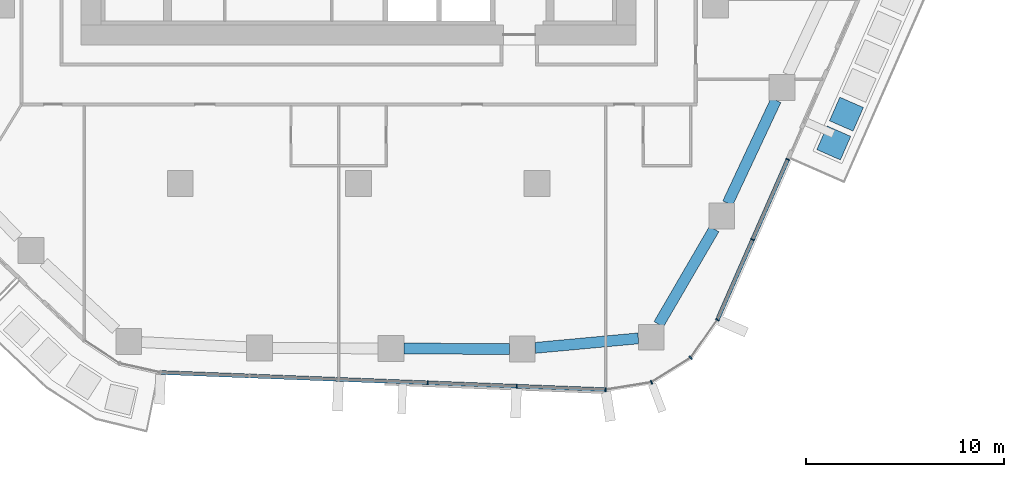
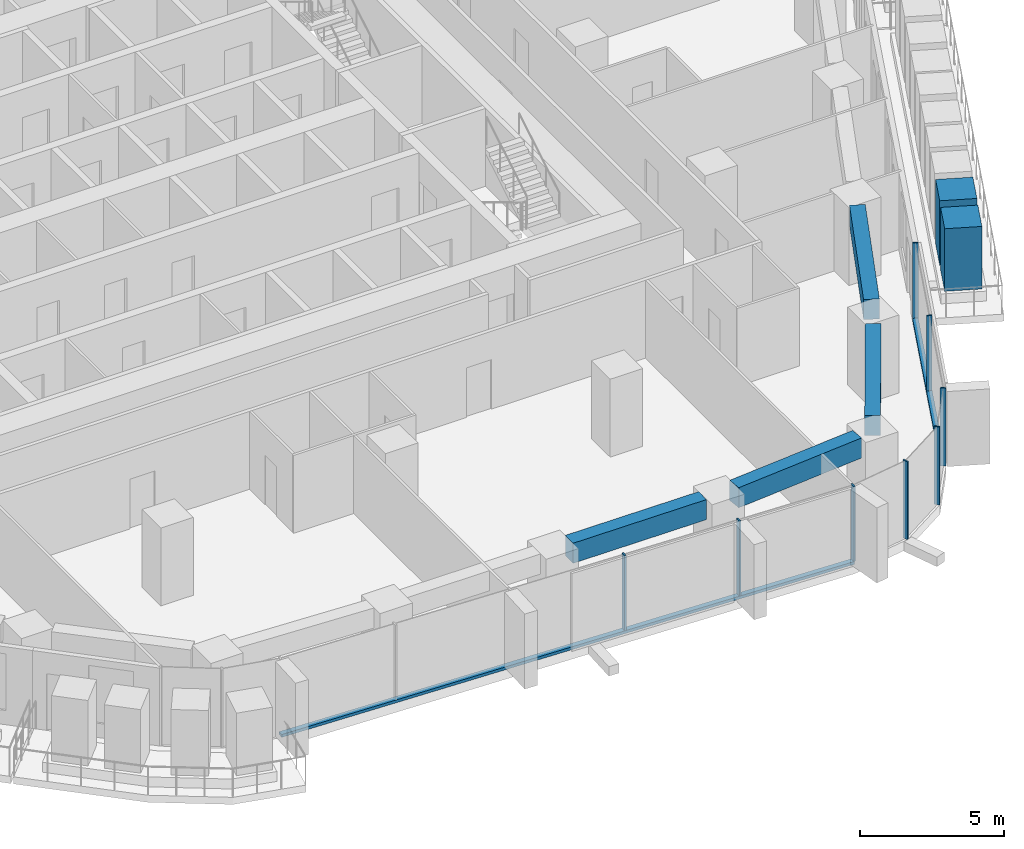
# One storey, part 4 of 23: 12 members, 4 beams, 3 elements without a shape of their own.
"""IFC4 building model written with IfcOpenShell, lengths in metres."""

from ifc_helpers import new_model, si_unit, direction, frame, origin, origin_2d, place, context, subcontext, project, spatial, rectangle, extrude, material, layer, layer_set, material_profile, profile_set, type_object, element, aggregate, save


model = new_model("IFC4")

# Units and contexts
model_context = context("Model", 3, precision=1e-05, world=origin(), true_north=direction((0.0, 1.0)))
body_context = subcontext(model_context, "Body", "Model", "MODEL_VIEW")
ifc_project = project(units=[si_unit("LENGTHUNIT", "METRE"), si_unit("AREAUNIT", "SQUARE_METRE"), si_unit("VOLUMEUNIT", "CUBIC_METRE"), si_unit("PLANEANGLEUNIT", "RADIAN"), si_unit("MASSUNIT", "GRAM", prefix="KILO")], contexts=[model_context])

# Site, building, storey
site_placement = place(None, origin())
site = spatial("IfcSite", under=ifc_project, at=site_placement, CompositionType="ELEMENT")
building_placement = place(site_placement, origin())
building = spatial("IfcBuilding", under=site, at=building_placement, Name="Dongbaek Canopy Tower", CompositionType="ELEMENT")
storey_placement = place(building_placement, frame((0.0, 0.0, 135.89990234375)))
storey = spatial("IfcBuildingStorey", under=building, at=storey_placement, Name="L30", CompositionType="ELEMENT", Elevation=135.89990234375)

# Curtain wall, members
ifc_material_1 = material(Name="Aluminium 6063-T6 pale anodised", Category="aluminium")
ifc_layer = layer(ifc_material_1, 0.199951171875)
ifc_layer_set = layer_set([ifc_layer], Name="CW-1 unitised tower curtain wall")
curtain_wall_type = type_object("IfcCurtainWallType", Name="CW-1 unitised tower curtain wall", PredefinedType="NOTDEFINED", material=ifc_layer_set)
curtain_wall_1_placement = place(storey_placement, origin())
curtain_wall_1 = element("IfcCurtainWall", 1, at=curtain_wall_1_placement, inside=storey, type_object=curtain_wall_type, Name="CW-1 curtain wall F4.1", PredefinedType="NOTDEFINED")
ifc_material_2 = material(Name="Aluminium 6063-T6 pale anodised", Category="aluminium")
ifc_material_profile_1 = material_profile(ifc_material_2, rectangle(XDim=0.199951171875, YDim=0.06005859375, at=origin_2d()), Name="CW-1 mullion 60 x 200")
ifc_profile_set_1 = profile_set([ifc_material_profile_1], Name="Aluminium 6063-T6 pale anodised")
member_type_1 = type_object("IfcMemberType", Name="CW-1 mullion 60 x 200", PredefinedType="MULLION", material=ifc_profile_set_1)
member_1_placement = place(storey_placement, frame((3.4814453125, -28.05126953125, 0.1201171875), z_axis=(0.0, 0.0, 1.0), x_axis=(-0.038587229989, -0.999255235504, 0.0)))
member_1 = element("IfcMember", 2, at=member_1_placement, type_object=member_type_1, Name="CW-1 mullion F4.1.4", PredefinedType="MULLION", context=body_context, shape_type="SweptSolid", body=[
    extrude(rectangle(XDim=0.199951171875, YDim=0.06005859375, at=origin_2d()), origin(), (0.0, 0.0, 1.0), 3.179931640625),
])
member_2_placement = place(storey_placement, frame((7.973876953125, -28.224853515625, 0.1201171875), z_axis=(0.0, 0.0, 1.0), x_axis=(-0.038587229989, -0.999255235504, 0.0)))
member_2 = element("IfcMember", 3, at=member_2_placement, type_object=member_type_1, Name="CW-1 mullion F4.1.5", PredefinedType="MULLION", context=body_context, shape_type="SweptSolid", body=[
    extrude(rectangle(XDim=0.199951171875, YDim=0.06005859375, at=origin_2d()), origin(), (0.0, 0.0, 1.0), 3.179931640625),
])
member_3_placement = place(storey_placement, frame((12.456298828125, -28.39794921875, 0.1201171875), z_axis=(0.0, 0.0, 1.0), x_axis=(-0.038587229989, -0.999255235504, 0.0)))
member_3 = element("IfcMember", 4, at=member_3_placement, type_object=member_type_1, Name="CW-1 mullion F4.1.6", PredefinedType="MULLION", context=body_context, shape_type="SweptSolid", body=[
    extrude(rectangle(XDim=0.199951171875, YDim=0.06005859375, at=origin_2d()), origin(), (0.0, 0.0, 1.0), 3.179931640625),
])

curtain_wall_2_placement = place(storey_placement, origin())
curtain_wall_2 = element("IfcCurtainWall", 5, at=curtain_wall_2_placement, inside=storey, type_object=curtain_wall_type, Name="CW-1 curtain wall K5.1", PredefinedType="NOTDEFINED")
member_4_placement = place(storey_placement, frame((14.771240234375, -28.022705078125, 0.0), z_axis=(0.0, 0.0, 1.0), x_axis=(0.35218386839, -0.935930832298, 0.0)))
member_4 = element("IfcMember", 6, at=member_4_placement, type_object=member_type_1, Name="CW-1 mullion K5.1.2", PredefinedType="MULLION", context=body_context, shape_type="SweptSolid", body=[
    extrude(rectangle(XDim=0.199951171875, YDim=0.06005859375, at=origin_2d()), origin(), (0.0, 0.0, 1.0), 3.300048828125),
])
member_5_placement = place(storey_placement, frame((16.75048828125, -26.7841796875, 0.0), z_axis=(0.0, 0.0, 1.0), x_axis=(0.687763517338, -0.725934807141, 0.0)))
member_5 = element("IfcMember", 7, at=member_5_placement, type_object=member_type_1, Name="CW-1 mullion K5.1.3", PredefinedType="MULLION", context=body_context, shape_type="SweptSolid", body=[
    extrude(rectangle(XDim=0.199951171875, YDim=0.06005859375, at=origin_2d()), origin(), (0.0, 0.0, 1.0), 3.300048828125),
])
member_6_placement = place(storey_placement, frame((18.099853515625, -24.866455078125, 0.0), z_axis=(0.0, 0.0, 1.0), x_axis=(0.817843743587, -0.575440362744, 0.0)))
member_6 = element("IfcMember", 8, at=member_6_placement, type_object=member_type_1, Name="CW-1 mullion K5.1.4", PredefinedType="MULLION", context=body_context, shape_type="SweptSolid", body=[
    extrude(rectangle(XDim=0.199951171875, YDim=0.06005859375, at=origin_2d()), origin(), (0.0, 0.0, 1.0), 3.300048828125),
])
aggregate(curtain_wall_2, [member_4, member_5, member_6])

curtain_wall_3_placement = place(storey_placement, origin())
curtain_wall_3 = element("IfcCurtainWall", 9, at=curtain_wall_3_placement, inside=storey, type_object=curtain_wall_type, Name="CW-1 curtain wall F5.1", PredefinedType="NOTDEFINED")
member_7_placement = place(storey_placement, frame((19.873046875, -20.829345703125, 0.1201171875), z_axis=(0.0, 0.0, 1.0), x_axis=(0.915562348389, -0.402176063698, 0.0)))
member_7 = element("IfcMember", 10, at=member_7_placement, type_object=member_type_1, Name="CW-1 mullion F5.1.2", PredefinedType="MULLION", context=body_context, shape_type="SweptSolid", body=[
    extrude(rectangle(XDim=0.199951171875, YDim=0.06005859375, at=origin_2d()), origin(), (0.0, 0.0, 1.0), 3.179931640625),
])
member_8_placement = place(storey_placement, frame((21.650390625, -16.783447265625, 0.1201171875), z_axis=(0.0, 0.0, 1.0), x_axis=(0.915562348389, -0.402176063698, 0.0)))
member_8 = element("IfcMember", 11, at=member_8_placement, type_object=member_type_1, Name="CW-1 mullion F5.1.3", PredefinedType="MULLION", context=body_context, shape_type="SweptSolid", body=[
    extrude(rectangle(XDim=0.199951171875, YDim=0.06005859375, at=origin_2d()), origin(), (0.0, 0.0, 1.0), 3.179931640625),
])

# Member
ifc_material_3 = material(Name="Aluminium 6063-T6 pale anodised", Category="aluminium")
ifc_material_profile_2 = material_profile(ifc_material_3, rectangle(XDim=0.199951171875, YDim=0.1201171875, at=origin_2d()), Name="CW-1 transom 120 x 200")
ifc_profile_set_2 = profile_set([ifc_material_profile_2], Name="Aluminium 6063-T6 pale anodised")
member_type_2 = type_object("IfcMemberType", Name="CW-1 transom 120 x 200", PredefinedType="USERDEFINED", material=ifc_profile_set_2)
member_9_placement = place(storey_placement, frame((-9.98681640625, -27.53125, 0.06005859375), z_axis=(0.99925517351, -0.038588835336, 0.0), x_axis=(0.038588835336, 0.99925517351, 0.0)))
member_9 = element("IfcMember", 12, at=member_9_placement, type_object=member_type_2, Name="CW-1 transom F4.1.1", ObjectType="TRANSOM", PredefinedType="USERDEFINED", context=body_context, shape_type="SweptSolid", body=[
    extrude(rectangle(XDim=0.199951171875, YDim=0.1201171875, at=origin_2d()), origin(), (0.0, 0.0, 1.0), 22.4599609375),
])

aggregate(curtain_wall_1, [member_1, member_2, member_3, member_9])

member_10_placement = place(storey_placement, frame((18.099853515625, -24.866455078125, 0.06005859375), z_axis=(0.402170445834, 0.915564816109, 0.0), x_axis=(-0.915564816109, 0.402170445834, 0.0)))
member_10 = element("IfcMember", 13, at=member_10_placement, type_object=member_type_2, Name="CW-1 transom F5.1.1", ObjectType="TRANSOM", PredefinedType="USERDEFINED", context=body_context, shape_type="SweptSolid", body=[
    extrude(rectangle(XDim=0.199951171875, YDim=0.1201171875, at=origin_2d()), origin(), (0.0, 0.0, 1.0), 8.828369140625),
])

aggregate(curtain_wall_3, [member_7, member_8, member_10])

# Beams
ifc_material_4 = material(Name="Concrete C80", Category="concrete")
ifc_material_profile_3 = material_profile(ifc_material_4, rectangle(XDim=0.550048828125, YDim=0.85009765625, at=origin_2d()), Name="RC EDGE BEAM 550x850 C80")
ifc_profile_set_3 = profile_set([ifc_material_profile_3], Name="Concrete C80")
beam_type = type_object("IfcBeamType", Name="RC EDGE BEAM 550x850 C80", PredefinedType="BEAM", material=ifc_profile_set_3)
beam_1_placement = place(storey_placement, frame((14.110107421875, -25.80908203125, 2.875), z_axis=(-0.995770494827, -0.091875576911, 0.0), x_axis=(0.091875576911, -0.995770494827, 0.0)))
element("IfcBeam", 14, at=beam_1_placement, inside=storey, type_object=beam_type, Name="EDGEBEAM:L30:00", PredefinedType="BEAM", context=body_context, shape_type="SweptSolid", body=[
    extrude(rectangle(XDim=0.550048828125, YDim=0.85009765625, at=origin_2d()), origin(), (0.0, 0.0, 1.0), 5.224365234375),
])
beam_2_placement = place(storey_placement, frame((7.60791015625, -26.34619140625, 2.875), z_axis=(-0.999989714022, 0.004535620181, 0.0), x_axis=(-0.004535620181, -0.999989714022, 0.0)))
element("IfcBeam", 15, at=beam_2_placement, inside=storey, type_object=beam_type, Name="EDGEBEAM:L30:01", PredefinedType="BEAM", context=body_context, shape_type="SweptSolid", body=[
    extrude(rectangle(XDim=0.550048828125, YDim=0.85009765625, at=origin_2d()), origin(), (0.0, 0.0, 1.0), 5.328857421875),
])
beam_3_placement = place(storey_placement, frame((21.051513671875, -13.800048828125, 2.875), z_axis=(-0.424209119096, -0.905564256845, 0.0), x_axis=(0.905564256845, -0.424209119096, 0.0)))
element("IfcBeam", 16, at=beam_3_placement, inside=storey, type_object=beam_type, Name="EDGEBEAM:L30:24", PredefinedType="BEAM", context=body_context, shape_type="SweptSolid", body=[
    extrude(rectangle(XDim=0.550048828125, YDim=0.85009765625, at=origin_2d()), origin(), (0.0, 0.0, 1.0), 5.7333984375),
])
beam_4_placement = place(storey_placement, frame((17.9365234375, -20.2919921875, 2.875), z_axis=(-0.503057531083, -0.864252926186, 0.0), x_axis=(0.864252926186, -0.503057531083, 0.0)))
element("IfcBeam", 17, at=beam_4_placement, inside=storey, type_object=beam_type, Name="EDGEBEAM:L30:25", PredefinedType="BEAM", context=body_context, shape_type="SweptSolid", body=[
    extrude(rectangle(XDim=0.550048828125, YDim=0.85009765625, at=origin_2d()), origin(), (0.0, 0.0, 1.0), 5.562255859375),
])

# Members
ifc_material_5 = material(Name="Concrete C40/50 planter mass with planting", Category="concrete")
ifc_material_profile_4 = material_profile(ifc_material_5, rectangle(XDim=1.300048828125, YDim=1.300048828125, at=origin_2d()), Name="Terrace PLANTER shrub mass 1300 x 1300")
ifc_profile_set_4 = profile_set([ifc_material_profile_4], Name="Concrete C40/50 planter mass with planting")
member_type_3 = type_object("IfcMemberType", Name="Terrace PLANTER shrub mass 1300 x 1300", PredefinedType="USERDEFINED", material=ifc_profile_set_4)
member_11_placement = place(storey_placement, frame((23.970458984375, -15.952392578125, 0.420166015625), z_axis=(0.0, 0.0, 1.0), x_axis=(0.915562348389, -0.402176063698, 0.0)))
element("IfcMember", 18, at=member_11_placement, inside=storey, type_object=member_type_3, Name="Planter shrubs L30 4.1", ObjectType="PLANTER", PredefinedType="USERDEFINED", context=body_context, shape_type="SweptSolid", body=[
    extrude(rectangle(XDim=1.300048828125, YDim=1.300048828125, at=origin_2d()), origin(), (0.0, 0.0, 1.0), 2.64990234375),
])
member_12_placement = place(storey_placement, frame((24.609130859375, -14.498779296875, 0.420166015625), z_axis=(0.0, 0.0, 1.0), x_axis=(0.915562348389, -0.402176063698, 0.0)))
element("IfcMember", 19, at=member_12_placement, inside=storey, type_object=member_type_3, Name="Planter shrubs L30 4.2", ObjectType="PLANTER", PredefinedType="USERDEFINED", context=body_context, shape_type="SweptSolid", body=[
    extrude(rectangle(XDim=1.300048828125, YDim=1.300048828125, at=origin_2d()), origin(), (0.0, 0.0, 1.0), 2.72998046875),
])

save(model, "model.ifc")
